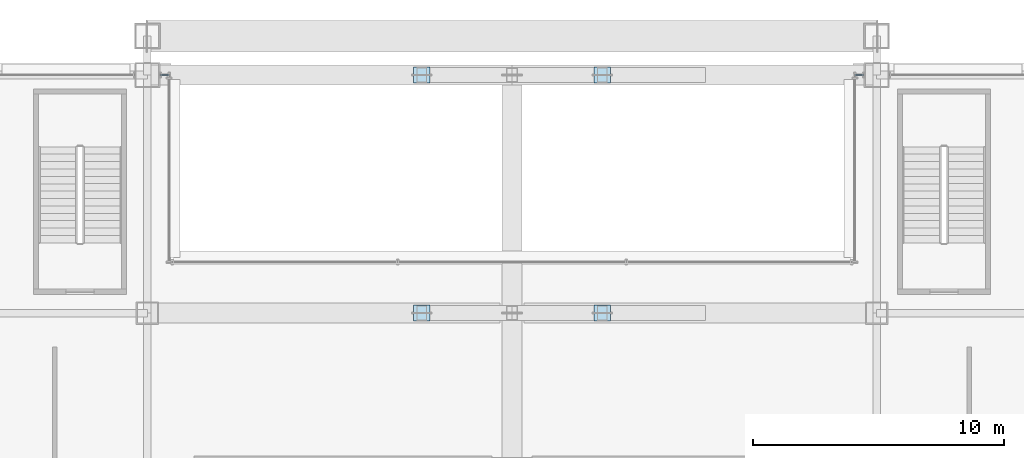
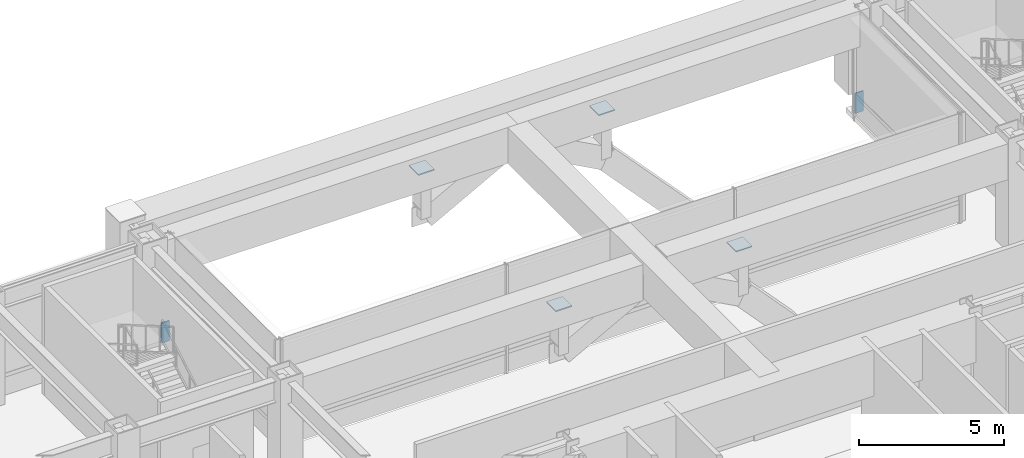
# One storey, part 32 of 37: 6 plates, 2 elements without a shape of their own.
"""IFC4 building model written with IfcOpenShell, lengths in metres."""

import ifcopenshell
import ifcopenshell.guid

model = None  # the IFC model being written
_history = None  # IfcOwnerHistory: only IFC2X3 demands one
_inside = {}  # id of a spatial element -> (the spatial element, [elements in it])
_under = {}  # id of a project, library or spatial element -> (it, [spatial elements below it])
_declared = {}  # id of a project -> (the project, [libraries it declares])
_typed = {}  # id of a type object -> (the type object, [elements of that type])
_made_of = {}  # id of a material, layer set ... -> (it, [elements and type objects made of it])


def new_model(schema):
    """Start an empty IFC model of exactly this schema.

    Asked for "IFC4X3", IfcOpenShell would pick the latest addendum, in which some entities
    have other attributes; the version numbers below select the first issue.
    IFC2X3 requires an IfcOwnerHistory on every rooted entity: one is made here for all.
    """
    global model, _history
    if schema == "IFC4X3":
        model = ifcopenshell.file(schema_version=(4, 3, 0, 0))
    else:
        model = ifcopenshell.file(schema=schema)
    _inside.clear()
    _under.clear()
    _declared.clear()
    _typed.clear()
    _made_of.clear()
    _history = None
    if model.schema == "IFC2X3":
        org = make("IfcOrganization", Name="unknown")
        user = make(
            "IfcPersonAndOrganization",
            ThePerson=make("IfcPerson", FamilyName="unknown"),
            TheOrganization=org,
        )
        app = make(
            "IfcApplication",
            ApplicationDeveloper=org,
            Version="unknown",
            ApplicationFullName="unknown",
            ApplicationIdentifier="unknown",
        )
        _history = make(
            "IfcOwnerHistory",
            OwningUser=user,
            OwningApplication=app,
            ChangeAction="ADDED",
            CreationDate=0,
        )
    return model


def make(cls, **values):
    """One entity of the class cls with the attributes given. An attribute that is None is left unset."""
    return model.create_entity(
        cls, **{name: value for name, value in values.items() if value is not None}
    )


def rooted(cls, **values):
    """An entity with a GlobalId (a new one), such as an element, a storey or a relation."""
    return make(cls, GlobalId=ifcopenshell.guid.new(), OwnerHistory=_history, **values)


def si_unit(unit_type, name, prefix=None):
    """IfcSIUnit, for example si_unit("LENGTHUNIT", "METRE", prefix="MILLI")."""
    return make("IfcSIUnit", UnitType=unit_type, Prefix=prefix, Name=name)


def assignment(units):
    """IfcUnitAssignment: the units of a project."""
    return None if units is None else make("IfcUnitAssignment", Units=units)


def point(xyz):
    """IfcCartesianPoint."""
    return None if xyz is None else make("IfcCartesianPoint", Coordinates=xyz)


def direction(xyz):
    """IfcDirection."""
    return None if xyz is None else make("IfcDirection", DirectionRatios=xyz)


def frame(location, z_axis=None, x_axis=None):
    """IfcAxis2Placement3D, a coordinate frame: its origin and axes. An axis left out is left unset."""
    return make(
        "IfcAxis2Placement3D",
        Location=point(location),
        Axis=direction(z_axis),
        RefDirection=direction(x_axis),
    )


def frame_2d(location, x_axis=None):
    """IfcAxis2Placement2D, a coordinate frame in the plane: its origin and x axis."""
    return make(
        "IfcAxis2Placement2D", Location=point(location), RefDirection=direction(x_axis)
    )


def origin():
    """The frame at (0, 0, 0) with its axes left unset."""
    return frame((0.0, 0.0, 0.0))


def origin_2d():
    """The frame at (0, 0) in the plane with its x axis left unset."""
    return frame_2d((0.0, 0.0))


def place(relative_to, where):
    """IfcLocalPlacement: puts the frame where relative to a parent placement (None: the world)."""
    return make(
        "IfcLocalPlacement", PlacementRelTo=relative_to, RelativePlacement=where
    )


def context(
    kind, dimensions, precision=None, world=None, true_north=None, identifier=None
):
    """IfcGeometricRepresentationContext, for example the 3D "Model" context."""
    return make(
        "IfcGeometricRepresentationContext",
        ContextIdentifier=identifier,
        ContextType=kind,
        CoordinateSpaceDimension=dimensions,
        Precision=precision,
        WorldCoordinateSystem=world,
        TrueNorth=true_north,
    )


def subcontext(parent, identifier, kind, view, scale=None):
    """IfcGeometricRepresentationSubContext, for example "Body" below "Model"."""
    return make(
        "IfcGeometricRepresentationSubContext",
        ContextIdentifier=identifier,
        ContextType=kind,
        ParentContext=parent,
        TargetScale=scale,
        TargetView=view,
    )


def project(units=None, contexts=None):
    """IfcProject with its units and contexts."""
    return rooted(
        "IfcProject",
        Name="project",
        RepresentationContexts=contexts,
        UnitsInContext=assignment(units),
    )


def spatial(cls, under=None, at=None, **own):
    """A site, building, storey or space (cls), placed at a placement, below another one or the project."""
    s = rooted(cls, ObjectPlacement=at, **own)
    if under is not None:
        _under.setdefault(under.id(), (under, []))[1].append(s)
    return s


def profile(cls, at=None, kind="AREA", **sizes):
    """A parametric profile (cls). Its sizes go by their IFC names, for example OverallWidth=200.0."""
    return make(cls, ProfileType=kind, Position=at, **sizes)


def rectangle(**sizes):
    """IfcRectangleProfileDef."""
    return profile("IfcRectangleProfileDef", **sizes)


def extrude(swept, where, along, depth):
    """IfcExtrudedAreaSolid: the profile swept, set in the frame where, extruded along a direction by depth."""
    return make(
        "IfcExtrudedAreaSolid",
        SweptArea=swept,
        Position=where,
        ExtrudedDirection=direction(along),
        Depth=depth,
    )


def shape(context_of_items, identifier, shape_type, items):
    """IfcShapeRepresentation: the items that make up one representation, for example the "Body"."""
    return make(
        "IfcShapeRepresentation",
        ContextOfItems=context_of_items,
        RepresentationIdentifier=identifier,
        RepresentationType=shape_type,
        Items=items,
    )


def material(Name=None, Category=None):
    """IfcMaterial."""
    return make("IfcMaterial", Name=Name, Category=Category)


def layer(
    of_material, thickness, ventilated=None, Name=None, Category=None, Priority=None
):
    """IfcMaterialLayer: one layer of a wall or slab, of a material (None: an air gap)."""
    return make(
        "IfcMaterialLayer",
        Material=of_material,
        LayerThickness=thickness,
        IsVentilated=ventilated,
        Name=Name,
        Category=Category,
        Priority=Priority,
    )


def layer_set(layers, Name=None):
    """IfcMaterialLayerSet."""
    return make("IfcMaterialLayerSet", MaterialLayers=layers, LayerSetName=Name)


def made_of(thing, what):
    """Note that an element or type object is made of a material, layer set ...; save() writes the relation."""
    if what is not None:
        _made_of.setdefault(what.id(), (what, []))[1].append(thing)
    return thing


def type_object(cls, material=None, **own):
    """A type object (cls), such as IfcWallType, which elements share."""
    return made_of(rooted(cls, **own), material)


def element(
    cls,
    number,
    at=None,
    inside=None,
    cuts=None,
    type_object=None,
    material=None,
    context=None,
    identifier="Body",
    shape_type=None,
    held_by="IfcProductDefinitionShape",
    body=None,
    shapes=None,
    **own,
):
    """One element of the class cls, such as IfcWall. Its Tag is "e" and its number.

    at: its placement. inside: the storey or other place that contains it. cuts: it is an
    opening in that element (IfcRelVoidsElement). A single representation is given by context,
    identifier, shape_type and body (its items); several are given by shapes. held_by: the class
    of the entity that holds the representations. save() writes the other relations.
    """
    e = rooted(cls, Tag="e%d" % number, ObjectPlacement=at, **own)
    if body is not None:
        shapes = [shape(context, identifier, shape_type, body)]
    if shapes is not None:
        e.Representation = make(held_by, Representations=shapes)
    if inside is not None:
        _inside.setdefault(inside.id(), (inside, []))[1].append(e)
    if cuts is not None:
        rooted(
            "IfcRelVoidsElement", RelatingBuildingElement=cuts, RelatedOpeningElement=e
        )
    if type_object is not None:
        _typed.setdefault(type_object.id(), (type_object, []))[1].append(e)
    return made_of(e, material)


def aggregate(whole, parts):
    """IfcRelAggregates: a whole, such as a stair, and the parts it consists of."""
    return rooted("IfcRelAggregates", RelatingObject=whole, RelatedObjects=parts)


def save(model, path):
    """Write the relations noted so far, then the file.

    IfcRelAggregates (storeys below a building ...), IfcRelContainedInSpatialStructure (elements
    in a storey), IfcRelDefinesByType, IfcRelAssociatesMaterial and IfcRelDeclares: one each for
    every whole, place, type object, material and project.
    """
    for whole, parts in _under.values():
        aggregate(whole, parts)
    for where, things in _inside.values():
        rooted(
            "IfcRelContainedInSpatialStructure",
            RelatedElements=things,
            RelatingStructure=where,
        )
    for kind, things in _typed.values():
        rooted("IfcRelDefinesByType", RelatedObjects=things, RelatingType=kind)
    for what, things in _made_of.values():
        rooted("IfcRelAssociatesMaterial", RelatedObjects=things, RelatingMaterial=what)
    for by, libraries in _declared.values():
        rooted("IfcRelDeclares", RelatingContext=by, RelatedDefinitions=libraries)
    model.write(path)


model = new_model("IFC4")

# Units and contexts
model_context = context("Model", 3, precision=1e-05, world=origin(), true_north=direction((0.0, 1.0)))
body_context = subcontext(model_context, "Body", "Model", "MODEL_VIEW")
ifc_project = project(units=[si_unit("LENGTHUNIT", "METRE"), si_unit("AREAUNIT", "SQUARE_METRE"), si_unit("VOLUMEUNIT", "CUBIC_METRE"), si_unit("PLANEANGLEUNIT", "RADIAN"), si_unit("MASSUNIT", "GRAM", prefix="KILO")], contexts=[model_context])

# Site, building, storey
site_placement = place(None, origin())
site = spatial("IfcSite", under=ifc_project, at=site_placement, CompositionType="ELEMENT")
building_placement = place(site_placement, origin())
building = spatial("IfcBuilding", under=site, at=building_placement, Name="Brelmoor Portico Tower", CompositionType="ELEMENT")
storey_placement = place(building_placement, frame((0.0, 0.0, 14.39990234375)))
storey = spatial("IfcBuildingStorey", under=building, at=storey_placement, Name="L03", CompositionType="ELEMENT", Elevation=14.39990234375)

# Plates
ifc_material_1 = material(Name="Steel Q355B", Category="steel")
ifc_layer_1 = layer(ifc_material_1, 0.044921875)
ifc_layer_set_1 = layer_set([ifc_layer_1], Name="Steel Q355B")
plate_type_1 = type_object("IfcPlateType", Name="PT-CAP-650", PredefinedType="SHEET", material=ifc_layer_set_1)
for number, where, z_axis, x_axis, name in (
    (1, (-3.60009765625, 18.050048828125, 3.732666015625), (0.0, 0.0, 1.0), (1.0, 0.0, 0.0), "Portico Arch Spandrel Strut N2-3 Joint Cap Plate 2"),
    (2, (3.60009765625, 18.050048828125, 3.732666015625), (0.0, 0.0, 1.0), (1.0, 0.0, 0.0), "Portico Arch Spandrel Strut N2-4 Joint Cap Plate 2"),
    (3, (-3.60009765625, 27.550048828125, 3.732666015625), (0.0, 0.0, 1.0), (1.0, 0.0, 0.0), "Portico Arch Spandrel Strut N1-3 Joint Cap Plate 2"),
    (4, (3.60009765625, 27.550048828125, 3.732666015625), (0.0, 0.0, 1.0), (1.0, 0.0, 0.0), "Portico Arch Spandrel Strut N1-4 Joint Cap Plate 2"),
):
    element("IfcPlate", number, at=place(storey_placement, frame(where, z_axis=z_axis, x_axis=x_axis)), inside=storey, type_object=plate_type_1, Name=name, PredefinedType="SHEET", context=body_context, shape_type="SweptSolid", body=[
        extrude(rectangle(XDim=0.64990234375, YDim=0.64990234375, at=origin_2d()), origin(), (0.0, 0.0, 1.0), 0.044921875),
    ])

# Curtain wall, plate
ifc_material_2 = material(Name="Anodised Aluminium Alloy 6063-T6", Category="aluminium")
ifc_layer_2 = layer(ifc_material_2, 0.179931640625)
ifc_layer_set_2 = layer_set([ifc_layer_2], Name="Anodised Aluminium Alloy 6063-T6")
curtain_wall_type = type_object("IfcCurtainWallType", Name="CW-PODIUM-ARCH", PredefinedType="NOTDEFINED", material=ifc_layer_set_2)
curtain_wall_1_placement = place(storey_placement, origin())
curtain_wall_1 = element("IfcCurtainWall", 5, at=curtain_wall_1_placement, inside=storey, type_object=curtain_wall_type, Name="L03 Curtain Wall CW-L03-06-3", PredefinedType="NOTDEFINED")
ifc_material_3 = material(Name="Pale Champagne Anodised Aluminium Panel", Category="aluminium")
ifc_layer_3 = layer(ifc_material_3, 0.050048828125)
ifc_layer_set_3 = layer_set([ifc_layer_3], Name="Pale Champagne Anodised Aluminium Panel")
plate_type_2 = type_object("IfcPlateType", Name="PT-CW-SPANDREL", PredefinedType="SHEET", material=ifc_layer_set_3)
plate_1_placement = place(storey_placement, frame((-13.860107421875, 27.550048828125, 0.0), z_axis=(0.0, 0.0, 1.0), x_axis=(1.0, 0.0, 0.0)))
plate_1 = element("IfcPlate", 6, at=plate_1_placement, type_object=plate_type_2, Name="CW-L03-06-3 Spandrel Panel 00", PredefinedType="SHEET", context=body_context, shape_type="SweptSolid", body=[
    extrude(rectangle(XDim=0.330078125, YDim=0.050048828125, at=origin_2d()), origin(), (0.0, 0.0, 1.0), 0.85009765625),
])
aggregate(curtain_wall_1, [plate_1])

curtain_wall_2_placement = place(storey_placement, origin())
curtain_wall_2 = element("IfcCurtainWall", 7, at=curtain_wall_2_placement, inside=storey, type_object=curtain_wall_type, Name="L03 Curtain Wall CW-L03-07-1", PredefinedType="NOTDEFINED")
plate_2_placement = place(storey_placement, frame((13.860107421875, 27.550048828125, 0.0), z_axis=(0.0, 0.0, 1.0), x_axis=(1.0, 0.0, 0.0)))
plate_2 = element("IfcPlate", 8, at=plate_2_placement, type_object=plate_type_2, Name="CW-L03-07-1 Spandrel Panel 00", PredefinedType="SHEET", context=body_context, shape_type="SweptSolid", body=[
    extrude(rectangle(XDim=0.330078125, YDim=0.050048828125, at=origin_2d()), origin(), (0.0, 0.0, 1.0), 0.85009765625),
])
aggregate(curtain_wall_2, [plate_2])

save(model, "model.ifc")
